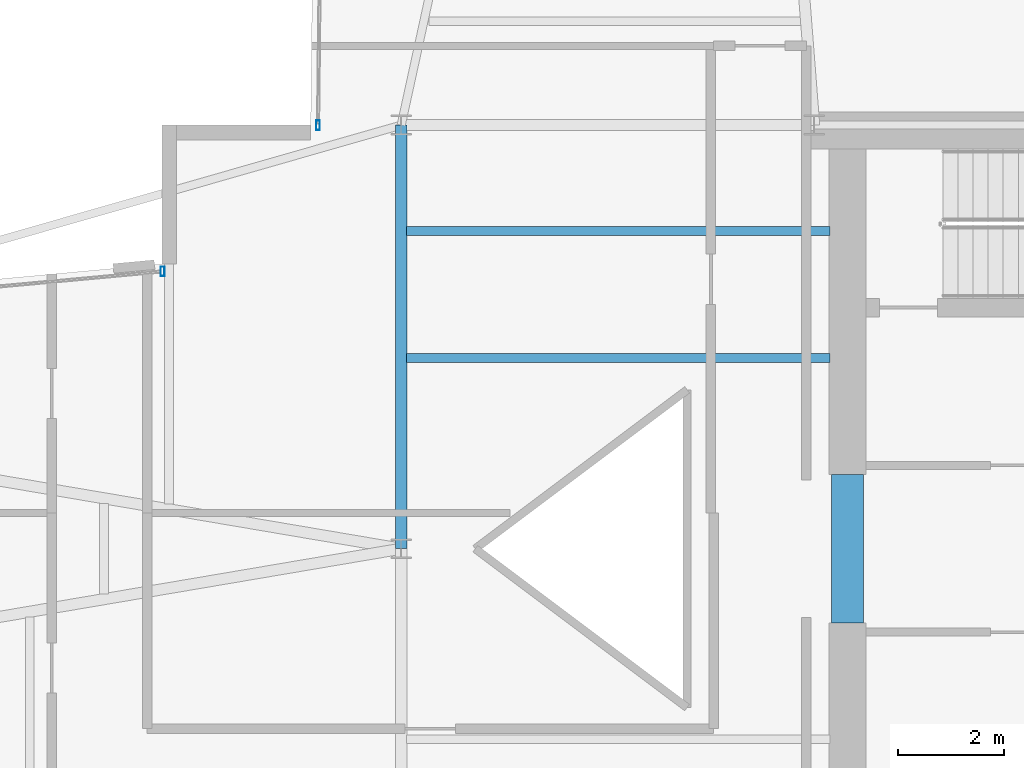
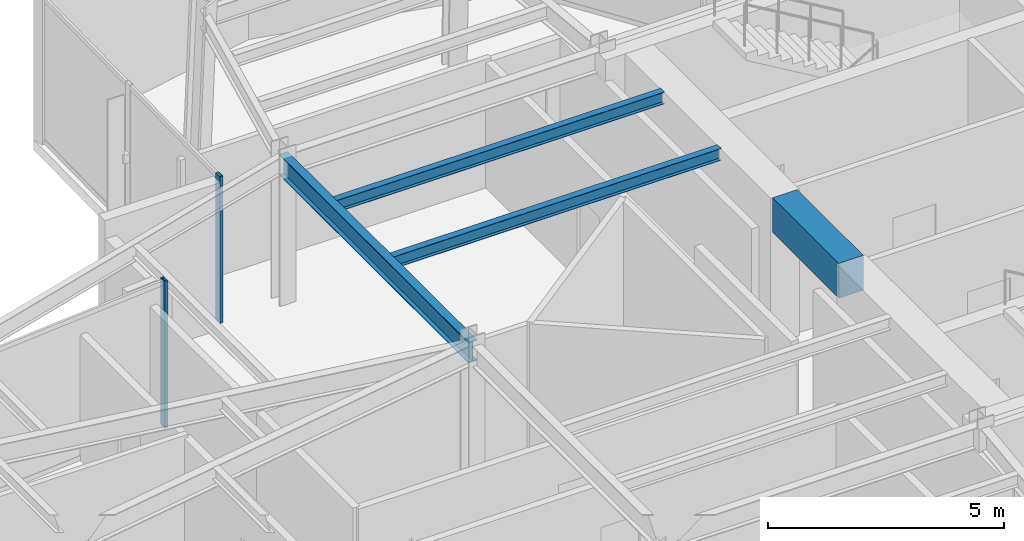
# One storey, part 11 of 21: 4 beams, 2 members, 2 elements without a shape of their own.
"""IFC4 building model written with IfcOpenShell, lengths in metres."""

from ifc_helpers import new_model, si_unit, direction, frame, origin, origin_2d, place, context, subcontext, project, spatial, rectangle, hollow_rectangle, i_section, extrude, material, layer, layer_set, material_profile, profile_set, type_object, element, aggregate, save


model = new_model("IFC4")

# Units and contexts
model_context = context("Model", 3, precision=1e-05, world=origin(), true_north=direction((0.0, 1.0)))
body_context = subcontext(model_context, "Body", "Model", "MODEL_VIEW")
ifc_project = project(units=[si_unit("LENGTHUNIT", "METRE"), si_unit("AREAUNIT", "SQUARE_METRE"), si_unit("VOLUMEUNIT", "CUBIC_METRE"), si_unit("PLANEANGLEUNIT", "RADIAN"), si_unit("MASSUNIT", "GRAM", prefix="KILO")], contexts=[model_context])

# Site, building, storey
site_placement = place(None, origin())
site = spatial("IfcSite", under=ifc_project, at=site_placement, CompositionType="ELEMENT")
building_placement = place(site_placement, origin())
building = spatial("IfcBuilding", under=site, at=building_placement, Name="Veymaron Broadcast Tower", CompositionType="ELEMENT")
storey_placement = place(building_placement, frame((0.0, 0.0, 212.10009765625)))
storey = spatial("IfcBuildingStorey", under=building, at=storey_placement, Name="L49", CompositionType="ELEMENT", Elevation=212.10009765625)

# Beams
ifc_material_1 = material(Name="Concrete C60/75", Category="concrete")
ifc_material_profile_1 = material_profile(ifc_material_1, rectangle(XDim=0.60009765625, YDim=0.89990234375, at=origin_2d()), Name="RC600X900")
ifc_profile_set_1 = profile_set([ifc_material_profile_1], Name="Concrete C60/75")
beam_type_1 = type_object("IfcBeamType", Name="BM-CB2", PredefinedType="LINTEL", material=ifc_profile_set_1)
beam_1_placement = place(storey_placement, frame((39.6298828125, 22.60009765625, 3.33984375), z_axis=(0.0, 1.0, 0.0), x_axis=(-1.0, 0.0, 0.0)))
element("IfcBeam", 1, at=beam_1_placement, inside=storey, type_object=beam_type_1, Name="L49 Core Wall west coupling beam", PredefinedType="LINTEL", context=body_context, shape_type="SweptSolid", body=[
    extrude(rectangle(XDim=0.60009765625, YDim=0.89990234375, at=origin_2d()), origin(), (0.0, 0.0, 1.0), 2.7998046875),
])
ifc_material_2 = material(Name="Structural steel ASTM A992 Gr 50", Category="steel")
ifc_material_profile_2 = material_profile(ifc_material_2, i_section(OverallWidth=0.2099609375, OverallDepth=0.537109375, WebThickness=0.010986328125, FlangeThickness=0.017333984375, at=origin_2d()), Name="W530X101")
ifc_profile_set_2 = profile_set([ifc_material_profile_2], Name="Structural steel ASTM A992 Gr 50")
beam_type_2 = type_object("IfcBeamType", Name="BM-FG3", PredefinedType="BEAM", material=ifc_profile_set_2)
beam_2_placement = place(storey_placement, frame((31.199951171875, 24.0, 3.521484375), z_axis=(0.0, 1.0, 0.0), x_axis=(-1.0, 0.0, 0.0)))
element("IfcBeam", 2, at=beam_2_placement, inside=storey, type_object=beam_type_2, Name="L49 primary structural floor girder", PredefinedType="BEAM", context=body_context, shape_type="SweptSolid", body=[
    extrude(i_section(OverallWidth=0.2099609375, OverallDepth=0.537109375, WebThickness=0.010986328125, FlangeThickness=0.017333984375, at=origin_2d()), origin(), (0.0, 0.0, 1.0), 8.0),
])
ifc_material_profile_3 = material_profile(ifc_material_2, i_section(OverallWidth=0.1650390625, OverallDepth=0.31005859375, WebThickness=0.005859375, FlangeThickness=0.009765625, at=origin_2d()), Name="W310X39")
ifc_profile_set_3 = profile_set([ifc_material_profile_3], Name="Structural steel ASTM A992 Gr 50")
beam_type_3 = type_object("IfcBeamType", Name="BM-JS3", PredefinedType="JOIST", material=ifc_profile_set_3)
for number, where, z_axis, x_axis, name in (
    (3, (31.300048828125, 27.60009765625, 3.635009765625), (1.0, 0.0, 0.0), (0.0, 1.0, 0.0), "L49 Hub secondary joist 3"),
    (4, (31.300048828125, 30.0, 3.635009765625), (1.0, 0.0, 0.0), (0.0, 1.0, 0.0), "L49 Hub secondary joist 4"),
):
    element("IfcBeam", number, at=place(storey_placement, frame(where, z_axis=z_axis, x_axis=x_axis)), inside=storey, type_object=beam_type_3, Name=name, PredefinedType="JOIST", context=body_context, shape_type="SweptSolid", body=[
        extrude(i_section(OverallWidth=0.1650390625, OverallDepth=0.31005859375, WebThickness=0.005859375, FlangeThickness=0.009765625, at=origin_2d()), origin(), (0.0, 0.0, 1.0), 8.0),
    ])

# Curtain wall, member
ifc_material_3 = material(Name="Anodised aluminium AA 6063-T6 and laminated low-E dark glass", Category="aluminium")
ifc_layer = layer(ifc_material_3, 0.179931640625)
ifc_layer_set = layer_set([ifc_layer], Name="Anodised aluminium AA 6063-T6 and laminated low-E dark glass")
curtain_wall_type = type_object("IfcCurtainWallType", Name="CW-SYS-05", PredefinedType="NOTDEFINED", material=ifc_layer_set)
curtain_wall_1_placement = place(storey_placement, origin())
curtain_wall_1 = element("IfcCurtainWall", 5, at=curtain_wall_1_placement, inside=storey, type_object=curtain_wall_type, Name="L49 dark-glass curtain wall CW-L49-E8-1", PredefinedType="NOTDEFINED")
ifc_material_4 = material(Name="Anodised aluminium AA 6063-T6", Category="aluminium")
ifc_material_profile_4 = material_profile(ifc_material_4, hollow_rectangle(XDim=0.074951171875, YDim=0.179931640625, WallThickness=0.0048828125, at=origin_2d()), Name="AL180X75X5")
ifc_profile_set_4 = profile_set([ifc_material_profile_4], Name="Anodised aluminium AA 6063-T6")
member_type = type_object("IfcMemberType", Name="CW-MUL-02", PredefinedType="MULLION", material=ifc_profile_set_4)
member_1_placement = place(storey_placement, frame((29.62890625, 31.998291015625, 0.0), z_axis=(0.0, 0.0, 1.0), x_axis=(1.0, 0.0, 0.0)))
member_1 = element("IfcMember", 6, at=member_1_placement, type_object=member_type, Name="CW-L49-E8-1 mullion 2", PredefinedType="MULLION", context=body_context, shape_type="SweptSolid", body=[
    extrude(hollow_rectangle(XDim=0.074951171875, YDim=0.179931640625, WallThickness=0.0048828125, at=origin_2d()), origin(), (0.0, 0.0, 1.0), 3.789794921875),
])
aggregate(curtain_wall_1, [member_1])

curtain_wall_2_placement = place(storey_placement, origin())
curtain_wall_2 = element("IfcCurtainWall", 7, at=curtain_wall_2_placement, inside=storey, type_object=curtain_wall_type, Name="L49 dark-glass curtain wall CW-L49-E11-1", PredefinedType="NOTDEFINED")
member_2_placement = place(storey_placement, frame((26.69287109375, 29.23828125, 0.0), z_axis=(0.0, 0.0, 1.0), x_axis=(1.0, 0.0, 0.0)))
member_2 = element("IfcMember", 8, at=member_2_placement, type_object=member_type, Name="CW-L49-E11-1 mullion 0", PredefinedType="MULLION", context=body_context, shape_type="SweptSolid", body=[
    extrude(hollow_rectangle(XDim=0.074951171875, YDim=0.179931640625, WallThickness=0.0048828125, at=origin_2d()), origin(), (0.0, 0.0, 1.0), 3.789794921875),
])
aggregate(curtain_wall_2, [member_2])

save(model, "model.ifc")
